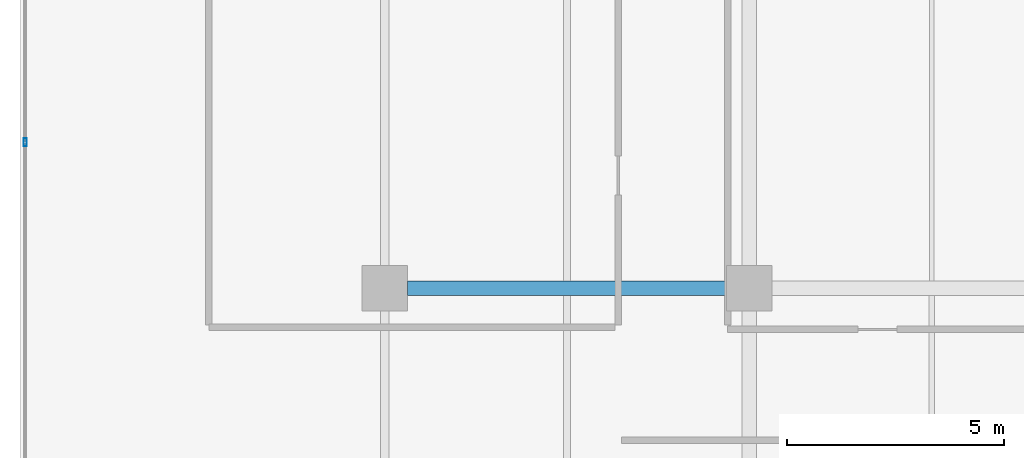
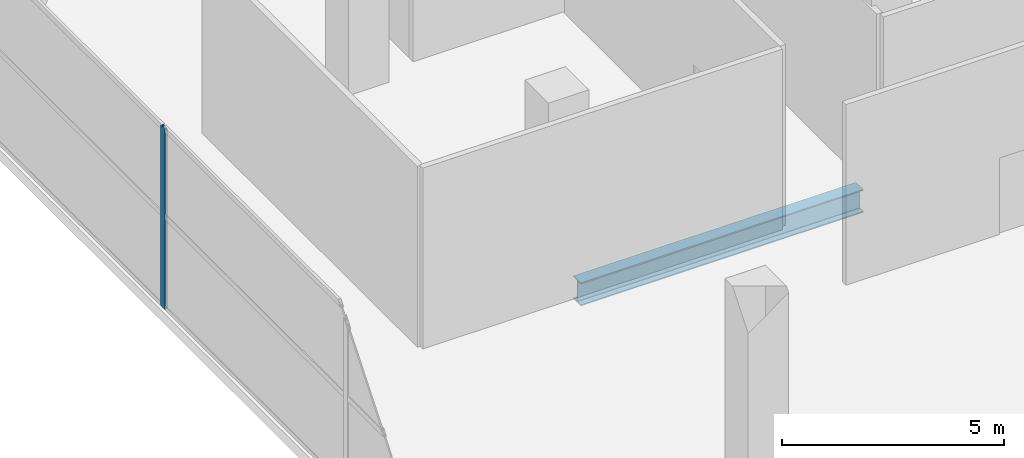
# One storey, part 17 of 40: 1 beam, 1 member, 1 element without a shape of its own.
"""IFC4 building model written with IfcOpenShell, lengths in metres."""

from ifc_helpers import new_model, si_unit, direction, frame, origin, origin_2d, place, context, subcontext, project, spatial, hollow_rectangle, i_section, extrude, material, layer, layer_set, material_profile, profile_set, type_object, element, aggregate, save


model = new_model("IFC4")

# Units and contexts
model_context = context("Model", 3, precision=1e-05, world=origin(), true_north=direction((0.0, 1.0)))
body_context = subcontext(model_context, "Body", "Model", "MODEL_VIEW")
ifc_project = project(units=[si_unit("LENGTHUNIT", "METRE"), si_unit("AREAUNIT", "SQUARE_METRE"), si_unit("VOLUMEUNIT", "CUBIC_METRE"), si_unit("PLANEANGLEUNIT", "RADIAN"), si_unit("MASSUNIT", "GRAM", prefix="KILO")], contexts=[model_context])

# Site, building, storey
site_placement = place(None, origin())
site = spatial("IfcSite", under=ifc_project, at=site_placement, CompositionType="ELEMENT")
building_placement = place(site_placement, origin())
building = spatial("IfcBuilding", under=site, at=building_placement, Name="Maruvema Waterfront Hotel and Observation Tower", CompositionType="ELEMENT")
storey_placement = place(building_placement, frame((0.0, 0.0, 5.60009765625)))
storey = spatial("IfcBuildingStorey", under=building, at=storey_placement, Name="L01", CompositionType="ELEMENT", Elevation=5.60009765625)

# Curtain wall, member
ifc_material_1 = material(Name="Anodised bronze aluminium and solar-control low-E IGU", Category="aluminium")
ifc_layer = layer(ifc_material_1, 0.159912109375, Name="Podium Waterfront Storefront Curtain Wall System CW-01")
ifc_layer_set = layer_set([ifc_layer], Name="Anodised bronze aluminium and solar-control low-E IGU")
curtain_wall_type = type_object("IfcCurtainWallType", Name="Podium Waterfront Storefront Curtain Wall System CW-01", PredefinedType="USERDEFINED", material=ifc_layer_set)
curtain_wall_placement = place(storey_placement, origin())
curtain_wall = element("IfcCurtainWall", 1, at=curtain_wall_placement, inside=storey, type_object=curtain_wall_type, Name="L01 Curtain Wall CW-L01-W", ObjectType="UNITISED CURTAIN WALL", PredefinedType="USERDEFINED")
ifc_material_2 = material(Name="Anodised architectural bronze aluminium", Category="aluminium")
ifc_material_profile_1 = material_profile(ifc_material_2, hollow_rectangle(XDim=0.070068359375, YDim=0.18994140625, WallThickness=0.00390625, at=origin_2d()), Name="ALU-M70x190")
ifc_profile_set_1 = profile_set([ifc_material_profile_1], Name="Anodised architectural bronze aluminium")
member_type = type_object("IfcMemberType", Name="Podium Storefront Heavy Mullion ALU-M70x190", PredefinedType="MULLION", material=ifc_profile_set_1)
member_placement = place(storey_placement, frame((0.1201171875, 39.360107421875, 0.0), z_axis=(0.0, 0.0, 1.0), x_axis=(1.0, 0.0, 0.0)))
member = element("IfcMember", 2, at=member_placement, type_object=member_type, Name="CW-01 mullion 2", PredefinedType="MULLION", context=body_context, shape_type="SweptSolid", body=[
    extrude(hollow_rectangle(XDim=0.070068359375, YDim=0.18994140625, WallThickness=0.00390625, at=origin_2d()), origin(), (0.0, 0.0, 1.0), 4.969970703125),
])
aggregate(curtain_wall, [member])

# Beam
ifc_material_3 = material(Name="Steel ASTM A572 Grade 50", Category="steel")
ifc_material_profile_2 = material_profile(ifc_material_3, i_section(OverallWidth=0.3291015625, OverallDepth=0.635009765625, WebThickness=0.017822265625, FlangeThickness=0.031005859375, FilletRadius=0.01806640625, at=origin_2d()), Name="W610x241.0")
ifc_profile_set_2 = profile_set([ifc_material_profile_2], Name="Steel ASTM A572 Grade 50")
beam_type = type_object("IfcBeamType", Name="Primary Floor Girder W610x241.0", PredefinedType="BEAM", material=ifc_profile_set_2)
beam_placement = place(storey_placement, frame((8.925048828125, 36.0, -0.59765625), z_axis=(1.0, 0.0, 0.0), x_axis=(0.0, 1.0, 0.0)))
element("IfcBeam", 3, at=beam_placement, inside=storey, type_object=beam_type, Name="L01 Floor Girder EW-25", PredefinedType="BEAM", context=body_context, shape_type="SweptSolid", body=[
    extrude(i_section(OverallWidth=0.3291015625, OverallDepth=0.635009765625, WebThickness=0.017822265625, FlangeThickness=0.031005859375, FilletRadius=0.01806640625, at=origin_2d()), origin(), (0.0, 0.0, 1.0), 7.349853515625),
])

save(model, "model.ifc")
